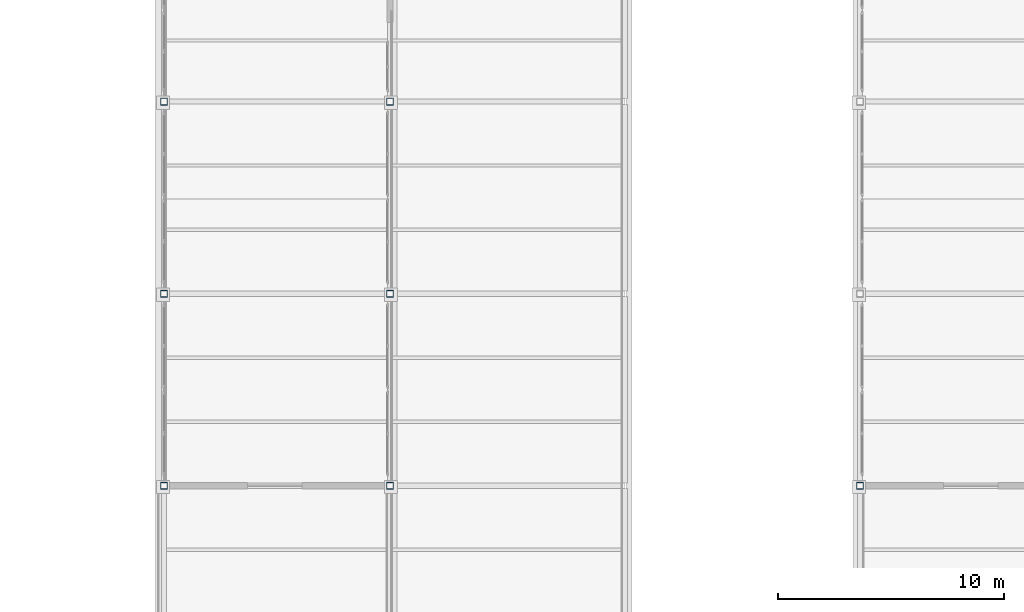
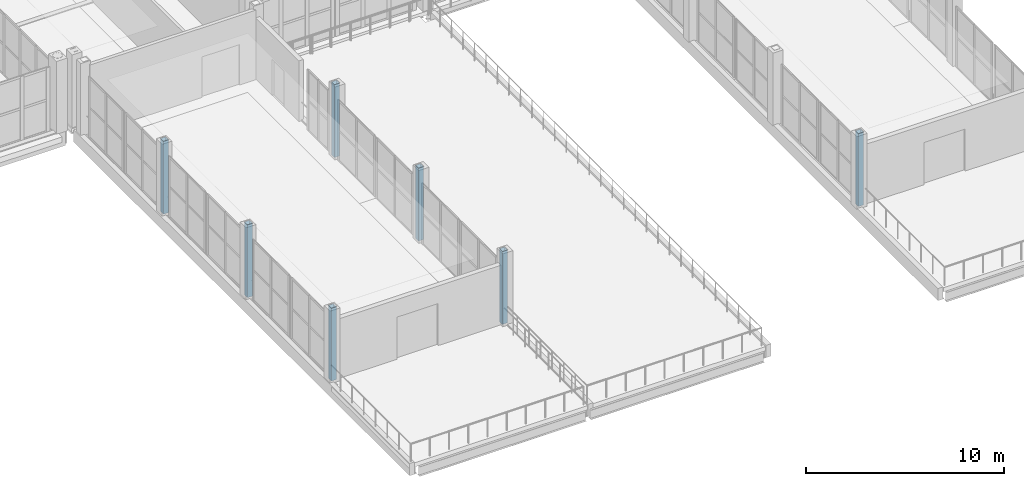
# One storey, part 10 of 156: 7 columns.
"""IFC4 building model written with IfcOpenShell, lengths in metres."""

from ifc_helpers import new_model, si_unit, direction, frame, origin, origin_2d, place, context, subcontext, project, spatial, hollow_rectangle, extrude, material, material_profile, profile_set, type_object, element, save


model = new_model("IFC4")

# Units and contexts
model_context = context("Model", 3, precision=1e-05, world=origin(), true_north=direction((0.0, 1.0)))
body_context = subcontext(model_context, "Body", "Model", "MODEL_VIEW")
ifc_project = project(units=[si_unit("LENGTHUNIT", "METRE"), si_unit("AREAUNIT", "SQUARE_METRE"), si_unit("VOLUMEUNIT", "CUBIC_METRE"), si_unit("PLANEANGLEUNIT", "RADIAN"), si_unit("MASSUNIT", "GRAM", prefix="KILO")], contexts=[model_context])

# Site, building, storey
site_placement = place(None, origin())
site = spatial("IfcSite", under=ifc_project, at=site_placement, CompositionType="ELEMENT")
building_placement = place(site_placement, origin())
building = spatial("IfcBuilding", under=site, at=building_placement, Name="Caurita Quay Ferry Terminal", CompositionType="ELEMENT")
storey_placement = place(building_placement, frame((0.0, 0.0, 5.39990234375)))
storey = spatial("IfcBuildingStorey", under=building, at=storey_placement, Name="L01", CompositionType="ELEMENT", Elevation=5.39990234375)

# Columns
ifc_material = material(Name="Hollow structural steel ASTM A500 Gr. C", Category="steel")
ifc_material_profile = material_profile(ifc_material, hollow_rectangle(XDim=0.3046875, YDim=0.3046875, WallThickness=0.01171875, InnerFilletRadius=0.01171875, OuterFilletRadius=0.023681640625, at=origin_2d()), Name="HSS12X12X1/2")
ifc_profile_set = profile_set([ifc_material_profile], Name="Hollow structural steel ASTM A500 Gr. C")
column_type = type_object("IfcColumnType", Name="COL-HSS-02", PredefinedType="COLUMN", material=ifc_profile_set)
for number, where, z_axis, x_axis, name in (
    (1, (132.800048828125, 8.5, 0.0), (0.0, 0.0, 1.0), (1.0, 0.0, 0.0), "L01 Column V3-BP-15-B"),
    (2, (132.800048828125, 17.0, 0.0), (0.0, 0.0, 1.0), (1.0, 0.0, 0.0), "L01 Column V3-BP-15-C"),
    (3, (132.800048828125, 25.5, 0.0), (0.0, 0.0, 1.0), (1.0, 0.0, 0.0), "L01 Column V3-BP-15-D"),
    (4, (142.800048828125, 8.5, 0.0), (0.0, 0.0, 1.0), (1.0, 0.0, 0.0), "L01 Column V3-BP-16-B"),
    (5, (142.800048828125, 17.0, 0.0), (0.0, 0.0, 1.0), (1.0, 0.0, 0.0), "L01 Column V3-BP-16-C"),
    (6, (142.800048828125, 25.5, 0.0), (0.0, 0.0, 1.0), (1.0, 0.0, 0.0), "L01 Column V3-BP-16-D"),
    (7, (163.60009765625, 8.5, 0.0), (0.0, 0.0, 1.0), (1.0, 0.0, 0.0), "L01 Column V3-BP-18-B"),
):
    element("IfcColumn", number, at=place(storey_placement, frame(where, z_axis=z_axis, x_axis=x_axis)), inside=storey, type_object=column_type, Name=name, PredefinedType="COLUMN", context=body_context, shape_type="SweptSolid", body=[
        extrude(hollow_rectangle(XDim=0.3046875, YDim=0.3046875, WallThickness=0.01171875, InnerFilletRadius=0.01171875, OuterFilletRadius=0.023681640625, at=origin_2d()), origin(), (0.0, 0.0, 1.0), 4.5),
    ])

save(model, "model.ifc")
